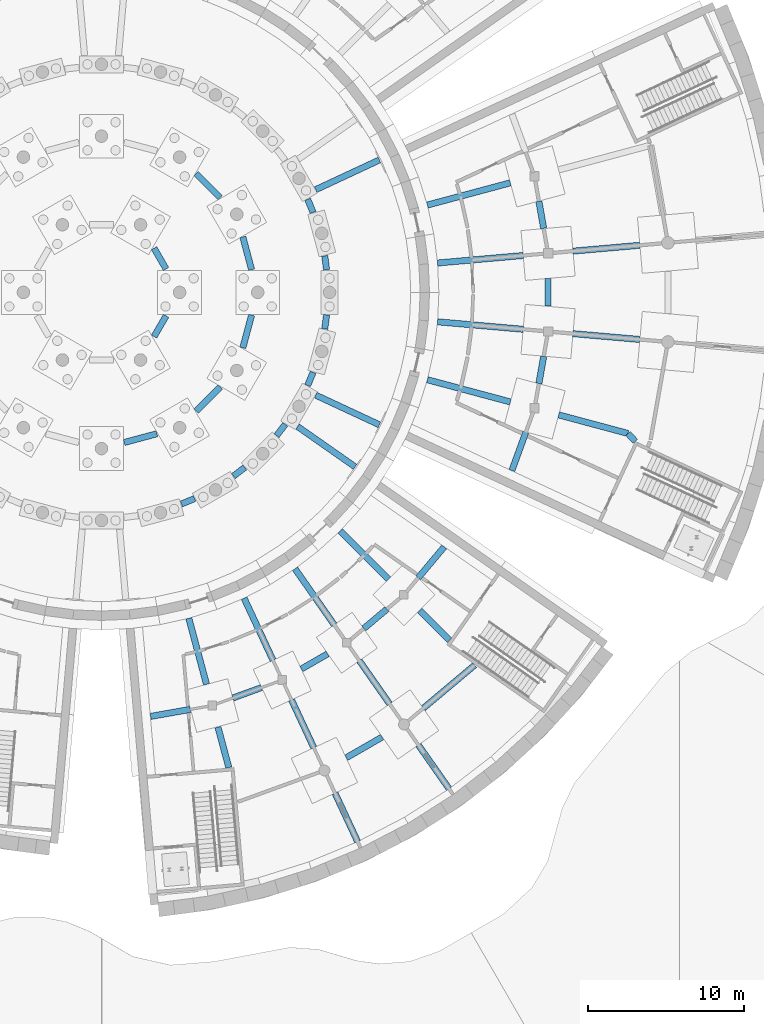
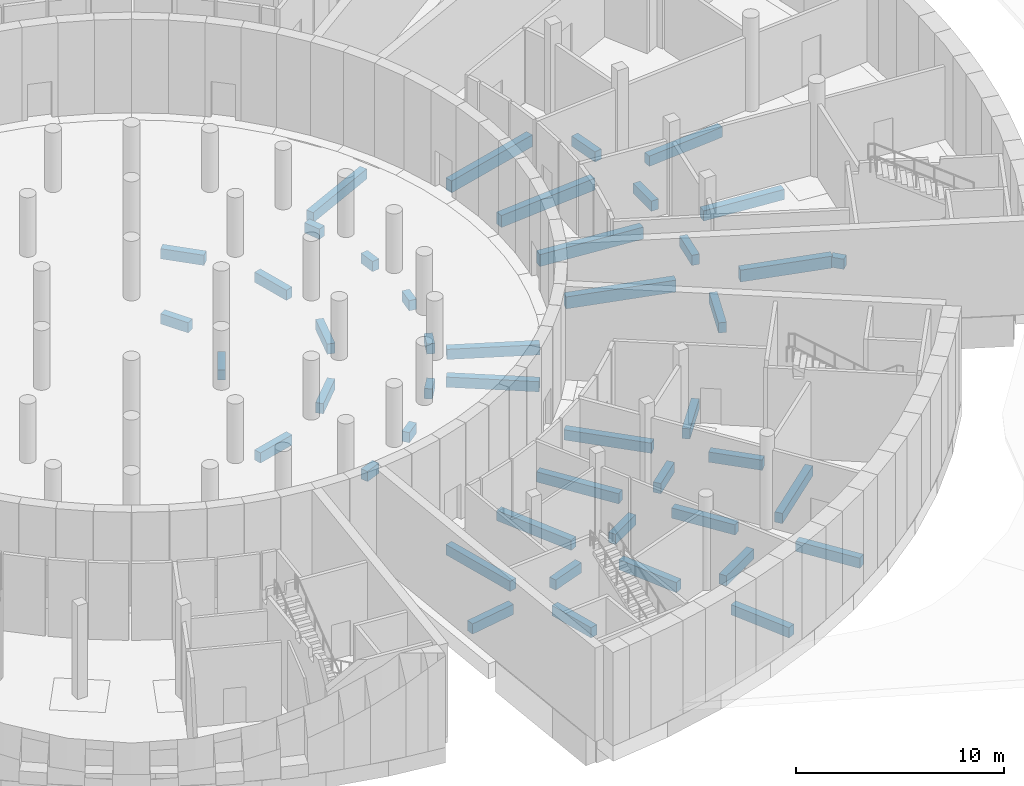
# One storey, part 17 of 65: 46 beams.
"""IFC4 building model written with IfcOpenShell, lengths in metres."""

from ifc_helpers import new_model, si_unit, direction, frame, origin, origin_2d, place, context, subcontext, project, spatial, rectangle, extrude, material, material_profile, profile_set, type_object, element, save


model = new_model("IFC4")

# Units and contexts
model_context = context("Model", 3, precision=1e-05, world=origin(), true_north=direction((0.0, 1.0)))
body_context = subcontext(model_context, "Body", "Model", "MODEL_VIEW")
ifc_project = project(units=[si_unit("LENGTHUNIT", "METRE"), si_unit("AREAUNIT", "SQUARE_METRE"), si_unit("VOLUMEUNIT", "CUBIC_METRE"), si_unit("PLANEANGLEUNIT", "RADIAN"), si_unit("MASSUNIT", "GRAM", prefix="KILO")], contexts=[model_context])

# Site, building, storey
site_placement = place(None, origin())
site = spatial("IfcSite", under=ifc_project, at=site_placement, CompositionType="ELEMENT")
building_placement = place(site_placement, origin())
building = spatial("IfcBuilding", under=site, at=building_placement, Name="Volute Hill Aquarium", CompositionType="ELEMENT")
storey_placement = place(building_placement, frame((0.0, 0.0, -5.5)))
storey = spatial("IfcBuildingStorey", under=building, at=storey_placement, Name="L00", CompositionType="ELEMENT", Elevation=-5.5)

# Beams
ifc_material_1 = material(Name="Concrete C30/37", Category="concrete")
ifc_material_profile_1 = material_profile(ifc_material_1, rectangle(XDim=0.39990234375, YDim=0.60009765625, at=origin_2d()), Name="RC tie beam 400x600")
ifc_profile_set_1 = profile_set([ifc_material_profile_1], Name="Concrete C30/37")
beam_type_1 = type_object("IfcBeamType", Name="Tank hall tie beam RC 400x600 C30/37", PredefinedType="BEAM", material=ifc_profile_set_1)
for number, where, z_axis, x_axis, name in (
    (1, (4.134033203125, 1.5, -0.60009765625), (-0.500071019227, 0.865984396932, 0.0), (-0.865984396932, -0.500071019227, 0.0), "tb/DR/L00/1.0"),
    (2, (3.365966796875, -2.830078125, -0.60009765625), (0.500071019227, 0.865984396932, 0.0), (-0.865984396932, 0.500071019227, 0.0), "tb/DR/L00/1.5"),
):
    element("IfcBeam", number, at=place(storey_placement, frame(where, z_axis=z_axis, x_axis=x_axis)), inside=storey, type_object=beam_type_1, Name=name, PredefinedType="BEAM", context=body_context, shape_type="SweptSolid", body=[
        extrude(rectangle(XDim=0.39990234375, YDim=0.60009765625, at=origin_2d()), origin(), (0.0, 0.0, 1.0), 1.535888671875),
    ])
for number, where, z_axis, x_axis, name in (
    (3, (9.611083984375, 1.45166015625, -0.60009765625), (-0.258803549142, 0.965929978286, 0.0), (-0.965929978286, -0.258803549142, 0.0), "tb/DR/L00/2.0"),
    (4, (7.59765625, 6.062744140625, -0.60009765625), (-0.707106781187, 0.707106781187, 0.0), (-0.707106781187, -0.707106781187, 0.0), "tb/DR/L00/2.1"),
    (5, (1.45166015625, -9.611083984375, -0.60009765625), (0.965929978286, 0.258803549142, 0.0), (-0.258803549142, 0.965929978286, 0.0), "tb/DR/L00/2.9"),
    (6, (6.062744140625, -7.59765625, -0.60009765625), (0.707106781187, 0.707106781187, 0.0), (-0.707106781187, 0.707106781187, 0.0), "tb/DR/L00/2.10"),
    (7, (9.04931640625, -3.54833984375, -0.60009765625), (0.258803549142, 0.965929978286, 0.0), (-0.965929978286, 0.258803549142, 0.0), "tb/DR/L00/2.11"),
):
    element("IfcBeam", number, at=place(storey_placement, frame(where, z_axis=z_axis, x_axis=x_axis)), inside=storey, type_object=beam_type_1, Name=name, PredefinedType="BEAM", context=body_context, shape_type="SweptSolid", body=[
        extrude(rectangle(XDim=0.39990234375, YDim=0.60009765625, at=origin_2d()), origin(), (0.0, 0.0, 1.0), 2.170654296875),
    ])
beam_1_placement = place(storey_placement, frame((14.41064453125, 1.43798828125, -0.60009765625), z_axis=(-0.130565475518, 0.991439688838, 0.0), x_axis=(-0.991439688838, -0.130565475518, 0.0)))
element("IfcBeam", 8, at=beam_1_placement, inside=storey, type_object=beam_type_1, Name="tb/DR/L00/3.0", PredefinedType="BEAM", context=body_context, shape_type="SweptSolid", body=[
    extrude(rectangle(XDim=0.39990234375, YDim=0.60009765625, at=origin_2d()), origin(), (0.0, 0.0, 1.0), 0.91064453125),
])
for number, where, z_axis, x_axis, name in (
    (9, (13.547607421875, 5.118896484375, -0.60009765625), (-0.382920146822, 0.923781446641, 0.0), (-0.923781446641, -0.382920146822, 0.0), "tb/DR/L00/3.1"),
    (10, (5.118896484375, -13.547607421875, -0.60009765625), (0.923781446641, 0.382920146822, 0.0), (-0.382920146822, 0.923781446641, 0.0), "tb/DR/L00/3.19"),
    (11, (8.45068359375, -11.760986328125, -0.60009765625), (0.793420748018, 0.608673571477, 0.0), (-0.608673571477, 0.793420748018, 0.0), "tb/DR/L00/3.20"),
    (12, (11.206787109375, -9.173095703125, -0.60009765625), (0.608673571477, 0.793420748018, 0.0), (-0.793420748018, 0.608673571477, 0.0), "tb/DR/L00/3.21"),
    (13, (13.198974609375, -5.9599609375, -0.60009765625), (0.382920146822, 0.923781446641, 0.0), (-0.923781446641, 0.382920146822, 0.0), "tb/DR/L00/3.22"),
):
    element("IfcBeam", number, at=place(storey_placement, frame(where, z_axis=z_axis, x_axis=x_axis)), inside=storey, type_object=beam_type_1, Name=name, PredefinedType="BEAM", context=body_context, shape_type="SweptSolid", body=[
        extrude(rectangle(XDim=0.39990234375, YDim=0.60009765625, at=origin_2d()), origin(), (0.0, 0.0, 1.0), 0.910400390625),
    ])
beam_2_placement = place(storey_placement, frame((14.291748046875, -2.3408203125, -0.60009765625), z_axis=(0.130565475518, 0.991439688838, 0.0), x_axis=(-0.991439688838, 0.130565475518, 0.0)))
element("IfcBeam", 14, at=beam_2_placement, inside=storey, type_object=beam_type_1, Name="tb/DR/L00/3.23", PredefinedType="BEAM", context=body_context, shape_type="SweptSolid", body=[
    extrude(rectangle(XDim=0.39990234375, YDim=0.60009765625, at=origin_2d()), origin(), (0.0, 0.0, 1.0), 0.91064453125),
])
ifc_material_2 = material(Name="Concrete C30/37", Category="concrete")
ifc_material_profile_2 = material_profile(ifc_material_2, rectangle(XDim=0.39990234375, YDim=0.60009765625, at=origin_2d()), Name="RC tie beam 400x600")
ifc_profile_set_2 = profile_set([ifc_material_profile_2], Name="Concrete C30/37")
beam_type_2 = type_object("IfcBeamType", Name="Tie beam 400x600 C30/37", PredefinedType="BEAM", material=ifc_profile_set_2)
beam_3_placement = place(storey_placement, frame((8.42431640625, -25.963623046875, -0.60009765625), z_axis=(0.939663926176, 0.342098970832, 0.0), x_axis=(-0.342098970832, 0.939663926176, 0.0)))
element("IfcBeam", 15, at=beam_3_placement, inside=storey, type_object=beam_type_2, Name="tb/S3/L00/13", PredefinedType="BEAM", context=body_context, shape_type="SweptSolid", body=[
    extrude(rectangle(XDim=0.39990234375, YDim=0.60009765625, at=origin_2d()), origin(), (0.0, 0.0, 1.0), 1.927490234375),
])
beam_4_placement = place(storey_placement, frame((5.68603515625, -26.697265625, -0.60009765625), z_axis=(-0.984808317589, -0.173644975764, 0.0), x_axis=(0.173644975764, -0.984808317589, 0.0)))
element("IfcBeam", 16, at=beam_4_placement, inside=storey, type_object=beam_type_2, Name="tb/S3/L00/14", PredefinedType="BEAM", context=body_context, shape_type="SweptSolid", body=[
    extrude(rectangle(XDim=0.39990234375, YDim=0.60009765625, at=origin_2d()), origin(), (0.0, 0.0, 1.0), 2.580078125),
])
beam_5_placement = place(storey_placement, frame((6.72509765625, -25.097900390625, -0.60009765625), z_axis=(-0.258830743191, 0.96592269172, 0.0), x_axis=(-0.96592269172, -0.258830743191, 0.0)))
element("IfcBeam", 17, at=beam_5_placement, inside=storey, type_object=beam_type_2, Name="tb/S3/L00/15", PredefinedType="BEAM", context=body_context, shape_type="SweptSolid", body=[
    extrude(rectangle(XDim=0.39990234375, YDim=0.60009765625, at=origin_2d()), origin(), (0.0, 0.0, 1.0), 4.38330078125),
])
beam_6_placement = place(storey_placement, frame((7.458740234375, -27.8369140625, -0.60009765625), z_axis=(0.258866876973, -0.965913008509, 0.0), x_axis=(0.965913008509, 0.258866876973, 0.0)))
element("IfcBeam", 18, at=beam_6_placement, inside=storey, type_object=beam_type_2, Name="tb/S3/L00/16", PredefinedType="BEAM", context=body_context, shape_type="SweptSolid", body=[
    extrude(rectangle(XDim=0.39990234375, YDim=0.60009765625, at=origin_2d()), origin(), (0.0, 0.0, 1.0), 2.674560546875),
])
beam_7_placement = place(storey_placement, frame((12.804931640625, -24.106201171875, -0.60009765625), z_axis=(0.86604426001, 0.499967338637, 0.0), x_axis=(-0.499967338637, 0.86604426001, 0.0)))
element("IfcBeam", 19, at=beam_7_placement, inside=storey, type_object=beam_type_2, Name="tb/S3/L00/17", PredefinedType="BEAM", context=body_context, shape_type="SweptSolid", body=[
    extrude(rectangle(XDim=0.39990234375, YDim=0.60009765625, at=origin_2d()), origin(), (0.0, 0.0, 1.0), 1.927490234375),
])
beam_8_placement = place(storey_placement, frame((10.980712890625, -23.54833984375, -0.60009765625), z_axis=(-0.422580485306, 0.906325401519, 0.0), x_axis=(-0.906325401519, -0.422580485306, 0.0)))
element("IfcBeam", 20, at=beam_8_placement, inside=storey, type_object=beam_type_2, Name="tb/S3/L00/18", PredefinedType="BEAM", context=body_context, shape_type="SweptSolid", body=[
    extrude(rectangle(XDim=0.39990234375, YDim=0.60009765625, at=origin_2d()), origin(), (0.0, 0.0, 1.0), 4.3828125),
])
beam_9_placement = place(storey_placement, frame((12.16455078125, -26.0869140625, -0.60009765625), z_axis=(0.422624689351, -0.906304789765, 0.0), x_axis=(0.906304789765, 0.422624689351, 0.0)))
element("IfcBeam", 21, at=beam_9_placement, inside=storey, type_object=beam_type_2, Name="tb/S3/L00/19", PredefinedType="BEAM", context=body_context, shape_type="SweptSolid", body=[
    extrude(rectangle(XDim=0.39990234375, YDim=0.60009765625, at=origin_2d()), origin(), (0.0, 0.0, 1.0), 3.3828125),
])
beam_10_placement = place(storey_placement, frame((16.79638671875, -21.5166015625, -0.60009765625), z_axis=(0.766036620251, 0.642796932502, 0.0), x_axis=(-0.642796932502, 0.766036620251, 0.0)))
element("IfcBeam", 22, at=beam_10_placement, inside=storey, type_object=beam_type_2, Name="tb/S3/L00/20", PredefinedType="BEAM", context=body_context, shape_type="SweptSolid", body=[
    extrude(rectangle(XDim=0.39990234375, YDim=0.60009765625, at=origin_2d()), origin(), (0.0, 0.0, 1.0), 1.927490234375),
])
beam_11_placement = place(storey_placement, frame((14.903076171875, -21.283935546875, -0.60009765625), z_axis=(-0.573529635998, 0.819184812256, 0.0), x_axis=(-0.819184812256, -0.573529635998, 0.0)))
element("IfcBeam", 23, at=beam_11_placement, inside=storey, type_object=beam_type_2, Name="tb/S3/L00/21", PredefinedType="BEAM", context=body_context, shape_type="SweptSolid", body=[
    extrude(rectangle(XDim=0.39990234375, YDim=0.60009765625, at=origin_2d()), origin(), (0.0, 0.0, 1.0), 4.3828125),
])
beam_12_placement = place(storey_placement, frame((16.509521484375, -23.577880859375, -0.60009765625), z_axis=(0.573554349556, -0.819167509185, 0.0), x_axis=(0.819167509185, 0.573554349556, 0.0)))
element("IfcBeam", 24, at=beam_12_placement, inside=storey, type_object=beam_type_2, Name="tb/S3/L00/22", PredefinedType="BEAM", context=body_context, shape_type="SweptSolid", body=[
    extrude(rectangle(XDim=0.39990234375, YDim=0.60009765625, at=origin_2d()), origin(), (0.0, 0.0, 1.0), 3.383544921875),
])
beam_13_placement = place(storey_placement, frame((20.277587890625, -18.27294921875, -0.60009765625), z_axis=(0.642712607113, 0.766107371494, 0.0), x_axis=(-0.766107371494, 0.642712607113, 0.0)))
element("IfcBeam", 25, at=beam_13_placement, inside=storey, type_object=beam_type_2, Name="tb/S3/L00/23", PredefinedType="BEAM", context=body_context, shape_type="SweptSolid", body=[
    extrude(rectangle(XDim=0.39990234375, YDim=0.60009765625, at=origin_2d()), origin(), (0.0, 0.0, 1.0), 2.580078125),
])
beam_14_placement = place(storey_placement, frame((18.373046875, -18.373046875, -0.60009765625), z_axis=(-0.707106781187, 0.707106781187, 0.0), x_axis=(-0.707106781187, -0.707106781187, 0.0)))
element("IfcBeam", 26, at=beam_14_placement, inside=storey, type_object=beam_type_2, Name="tb/S3/L00/24", PredefinedType="BEAM", context=body_context, shape_type="SweptSolid", body=[
    extrude(rectangle(XDim=0.39990234375, YDim=0.60009765625, at=origin_2d()), origin(), (0.0, 0.0, 1.0), 4.383544921875),
])
beam_15_placement = place(storey_placement, frame((20.3779296875, -20.3779296875, -0.60009765625), z_axis=(0.707106781187, -0.707106781187, 0.0), x_axis=(0.707106781187, 0.707106781187, 0.0)))
element("IfcBeam", 27, at=beam_15_placement, inside=storey, type_object=beam_type_2, Name="tb/S3/L00/25", PredefinedType="BEAM", context=body_context, shape_type="SweptSolid", body=[
    extrude(rectangle(XDim=0.39990234375, YDim=0.60009765625, at=origin_2d()), origin(), (0.0, 0.0, 1.0), 2.6748046875),
])
beam_16_placement = place(storey_placement, frame((15.676513671875, -29.791259765625, -0.60009765625), z_axis=(0.866025344474, 0.500000102728, 0.0), x_axis=(-0.500000102728, 0.866025344474, 0.0)))
element("IfcBeam", 28, at=beam_16_placement, inside=storey, type_object=beam_type_2, Name="tb/S3/L00/26", PredefinedType="BEAM", context=body_context, shape_type="SweptSolid", body=[
    extrude(rectangle(XDim=0.39990234375, YDim=0.60009765625, at=origin_2d()), origin(), (0.0, 0.0, 1.0), 2.638671875),
])
beam_17_placement = place(storey_placement, frame((14.950439453125, -32.061279296875, -0.60009765625), z_axis=(0.422627158144, -0.906303638523, 0.0), x_axis=(0.906303638523, 0.422627158144, 0.0)))
element("IfcBeam", 29, at=beam_17_placement, inside=storey, type_object=beam_type_2, Name="tb/S3/L00/27", PredefinedType="BEAM", context=body_context, shape_type="SweptSolid", body=[
    extrude(rectangle(XDim=0.39990234375, YDim=0.60009765625, at=origin_2d()), origin(), (0.0, 0.0, 1.0), 3.415283203125),
])
beam_18_placement = place(storey_placement, frame((20.611572265625, -26.616455078125, -0.60009765625), z_axis=(0.766044562742, 0.642787467126, 0.0), x_axis=(-0.642787467126, 0.766044562742, 0.0)))
element("IfcBeam", 30, at=beam_18_placement, inside=storey, type_object=beam_type_2, Name="tb/S3/L00/28", PredefinedType="BEAM", context=body_context, shape_type="SweptSolid", body=[
    extrude(rectangle(XDim=0.39990234375, YDim=0.60009765625, at=origin_2d()), origin(), (0.0, 0.0, 1.0), 4.2744140625),
])
beam_19_placement = place(storey_placement, frame((20.290771484375, -28.97802734375, -0.60009765625), z_axis=(0.573543904397, -0.819174822446, 0.0), x_axis=(0.819174822446, 0.573543904397, 0.0)))
element("IfcBeam", 31, at=beam_19_placement, inside=storey, type_object=beam_type_2, Name="tb/S3/L00/29", PredefinedType="BEAM", context=body_context, shape_type="SweptSolid", body=[
    extrude(rectangle(XDim=0.39990234375, YDim=0.60009765625, at=origin_2d()), origin(), (0.0, 0.0, 1.0), 3.4150390625),
])
beam_20_placement = place(storey_placement, frame((28.00390625, -5.8291015625, -0.6298828125), z_axis=(0.173705994655, 0.984797556567, 0.0), x_axis=(-0.984797556567, 0.173705994655, 0.0)))
element("IfcBeam", 32, at=beam_20_placement, inside=storey, type_object=beam_type_2, Name="tb/S4/L00/30", PredefinedType="BEAM", context=body_context, shape_type="SweptSolid", body=[
    extrude(rectangle(XDim=0.39990234375, YDim=0.60009765625, at=origin_2d()), origin(), (0.0, 0.0, 1.0), 1.75537109375),
])
beam_21_placement = place(storey_placement, frame((27.166748046875, -8.953857421875, -0.6298828125), z_axis=(-0.342051121963, -0.939681344906, 0.0), x_axis=(0.939681344906, -0.342051121963, 0.0)))
element("IfcBeam", 33, at=beam_21_placement, inside=storey, type_object=beam_type_2, Name="tb/S4/L00/31", PredefinedType="BEAM", context=body_context, shape_type="SweptSolid", body=[
    extrude(rectangle(XDim=0.39990234375, YDim=0.60009765625, at=origin_2d()), origin(), (0.0, 0.0, 1.0), 2.60888671875),
])
beam_22_placement = place(storey_placement, frame((28.5908203125, -0.877685546875, -0.6298828125), z_axis=(0.0, 1.0, 0.0), x_axis=(-1.0, 0.0, 0.0)))
element("IfcBeam", 34, at=beam_22_placement, inside=storey, type_object=beam_type_2, Name="tb/S4/L00/34", PredefinedType="BEAM", context=body_context, shape_type="SweptSolid", body=[
    extrude(rectangle(XDim=0.39990234375, YDim=0.60009765625, at=origin_2d()), origin(), (0.0, 0.0, 1.0), 1.75537109375),
])
beam_23_placement = place(storey_placement, frame((30.184814453125, -2.640869140625, -0.6298828125), z_axis=(0.996194641899, -0.087156385028, 0.0), x_axis=(0.087156385028, 0.996194641899, 0.0)))
element("IfcBeam", 35, at=beam_23_placement, inside=storey, type_object=beam_type_2, Name="tb/S4/L00/36", PredefinedType="BEAM", context=body_context, shape_type="SweptSolid", body=[
    extrude(rectangle(XDim=0.39990234375, YDim=0.60009765625, at=origin_2d()), origin(), (0.0, 0.0, 1.0), 4.2998046875),
])
beam_24_placement = place(storey_placement, frame((28.308837890625, 4.100341796875, -0.6298828125), z_axis=(-0.173705994655, 0.984797556567, 0.0), x_axis=(-0.984797556567, -0.173705994655, 0.0)))
element("IfcBeam", 36, at=beam_24_placement, inside=storey, type_object=beam_type_2, Name="tb/S4/L00/37", PredefinedType="BEAM", context=body_context, shape_type="SweptSolid", body=[
    extrude(rectangle(XDim=0.39990234375, YDim=0.60009765625, at=origin_2d()), origin(), (0.0, 0.0, 1.0), 1.75537109375),
])
beam_25_placement = place(storey_placement, frame((30.184814453125, 2.640869140625, -0.6298828125), z_axis=(0.996194641899, 0.087156385028, 0.0), x_axis=(-0.087156385028, 0.996194641899, 0.0)))
element("IfcBeam", 37, at=beam_25_placement, inside=storey, type_object=beam_type_2, Name="tb/S4/L00/39", PredefinedType="BEAM", context=body_context, shape_type="SweptSolid", body=[
    extrude(rectangle(XDim=0.39990234375, YDim=0.60009765625, at=origin_2d()), origin(), (0.0, 0.0, 1.0), 4.2998046875),
])
for number, where, z_axis, x_axis, name in (
    (38, (16.23779296875, -11.16845703125, -0.60009765625), (-0.819160486788, 0.573564379023, 0.0), (-0.573564379023, -0.819160486788, 0.0), "tb/S3/L00/eB0"),
    (39, (17.791015625, -8.47802734375, -0.60009765625), (-0.906310722056, 0.422611967513, 0.0), (-0.422611967513, -0.906310722056, 0.0), "tb/S4/L00/eA0"),
    (40, (17.791015625, 8.47802734375, -0.60009765625), (-0.906310722056, -0.422611967513, 0.0), (0.422611967513, -0.906310722056, 0.0), "tb/S4/L00/eB0"),
):
    element("IfcBeam", number, at=place(storey_placement, frame(where, z_axis=z_axis, x_axis=x_axis)), inside=storey, type_object=beam_type_2, Name=name, PredefinedType="BEAM", context=body_context, shape_type="SweptSolid", body=[
        extrude(rectangle(XDim=0.39990234375, YDim=0.60009765625, at=origin_2d()), origin(), (0.0, 0.0, 1.0), 4.49609375),
    ])
beam_26_placement = place(storey_placement, frame((33.710693359375, -9.03271484375, -0.679931640625), z_axis=(0.676404999577, -0.736529888428, 0.0), x_axis=(0.736529888428, 0.676404999577, 0.0)))
element("IfcBeam", 41, at=beam_26_placement, inside=storey, type_object=beam_type_2, Name="tb/S4/L00/33t", PredefinedType="BEAM", context=body_context, shape_type="SweptSolid", body=[
    extrude(rectangle(XDim=0.39990234375, YDim=0.60009765625, at=origin_2d()), origin(), (0.0, 0.0, 1.0), 0.68212890625),
])
ifc_material_3 = material(Name="Concrete C30/37", Category="concrete")
ifc_material_profile_3 = material_profile(ifc_material_3, rectangle(XDim=0.39990234375, YDim=0.699951171875, at=origin_2d()), Name="RC tie beam 400x700")
ifc_profile_set_3 = profile_set([ifc_material_profile_3], Name="Concrete C30/37")
beam_type_3 = type_object("IfcBeamType", Name="Tie beam 400x700 C30/37", PredefinedType="BEAM", material=ifc_profile_set_3)
beam_27_placement = place(storey_placement, frame((26.176513671875, -7.013916015625, -0.679931640625), z_axis=(-0.965932200741, 0.258795254151, 0.0), x_axis=(-0.258795254151, -0.965932200741, 0.0)))
element("IfcBeam", 42, at=beam_27_placement, inside=storey, type_object=beam_type_3, Name="tb/S4/L00/32", PredefinedType="BEAM", context=body_context, shape_type="SweptSolid", body=[
    extrude(rectangle(XDim=0.39990234375, YDim=0.699951171875, at=origin_2d()), origin(), (0.0, 0.0, 1.0), 5.499755859375),
])
beam_28_placement = place(storey_placement, frame((29.267578125, -7.84228515625, -0.679931640625), z_axis=(0.965931231252, -0.258798872663, 0.0), x_axis=(0.258798872663, 0.965931231252, 0.0)))
element("IfcBeam", 43, at=beam_28_placement, inside=storey, type_object=beam_type_3, Name="tb/S4/L00/33", PredefinedType="BEAM", context=body_context, shape_type="SweptSolid", body=[
    extrude(rectangle(XDim=0.39990234375, YDim=0.699951171875, at=origin_2d()), origin(), (0.0, 0.0, 1.0), 4.599853515625),
])
for number, where, z_axis, x_axis, name in (
    (44, (26.996826171875, -2.362060546875, -0.679931640625), (-0.996192464654, 0.087181267293, 0.0), (-0.087181267293, -0.996192464654, 0.0), "tb/S4/L00/35"),
    (45, (26.996826171875, 2.362060546875, -0.679931640625), (-0.996192464654, -0.087181267293, 0.0), (0.087181267293, -0.996192464654, 0.0), "tb/S4/L00/38"),
):
    element("IfcBeam", number, at=place(storey_placement, frame(where, z_axis=z_axis, x_axis=x_axis)), inside=storey, type_object=beam_type_3, Name=name, PredefinedType="BEAM", context=body_context, shape_type="SweptSolid", body=[
        extrude(rectangle(XDim=0.39990234375, YDim=0.699951171875, at=origin_2d()), origin(), (0.0, 0.0, 1.0), 5.5),
    ])
beam_29_placement = place(storey_placement, frame((26.176513671875, 7.013916015625, -0.679931640625), z_axis=(-0.965932200741, -0.258795254151, 0.0), x_axis=(0.258795254151, -0.965932200741, 0.0)))
element("IfcBeam", 46, at=beam_29_placement, inside=storey, type_object=beam_type_3, Name="tb/S4/L00/41", PredefinedType="BEAM", context=body_context, shape_type="SweptSolid", body=[
    extrude(rectangle(XDim=0.39990234375, YDim=0.699951171875, at=origin_2d()), origin(), (0.0, 0.0, 1.0), 5.499755859375),
])

save(model, "model.ifc")
